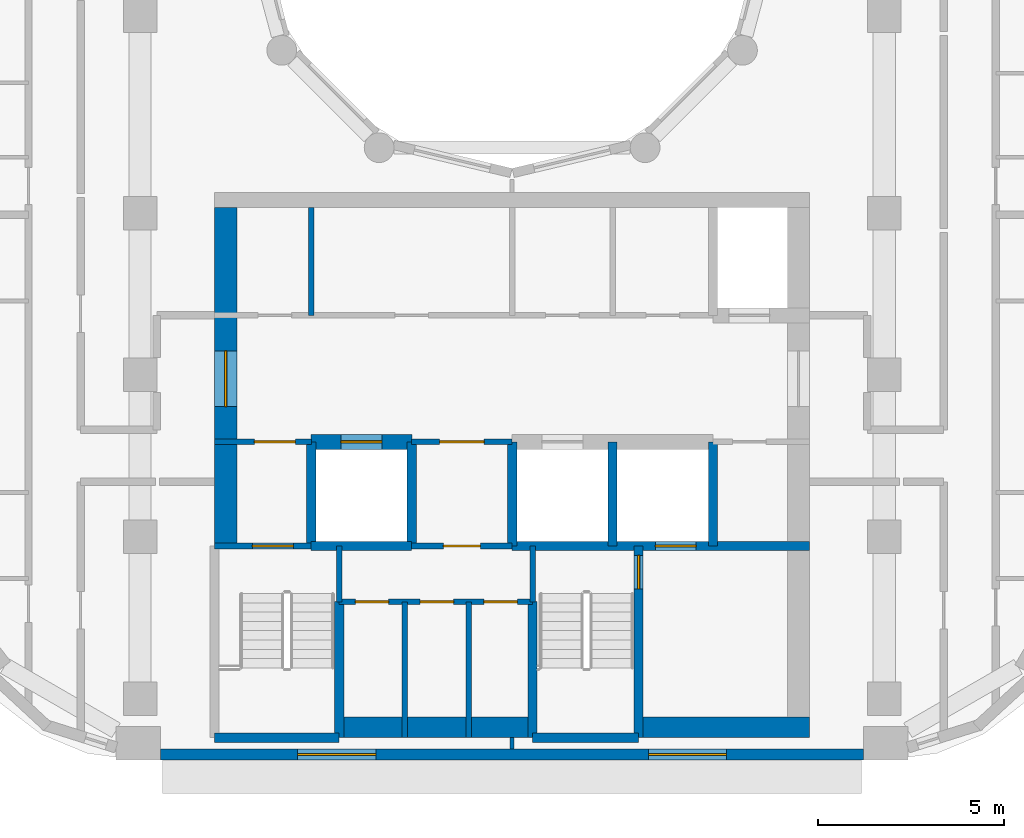
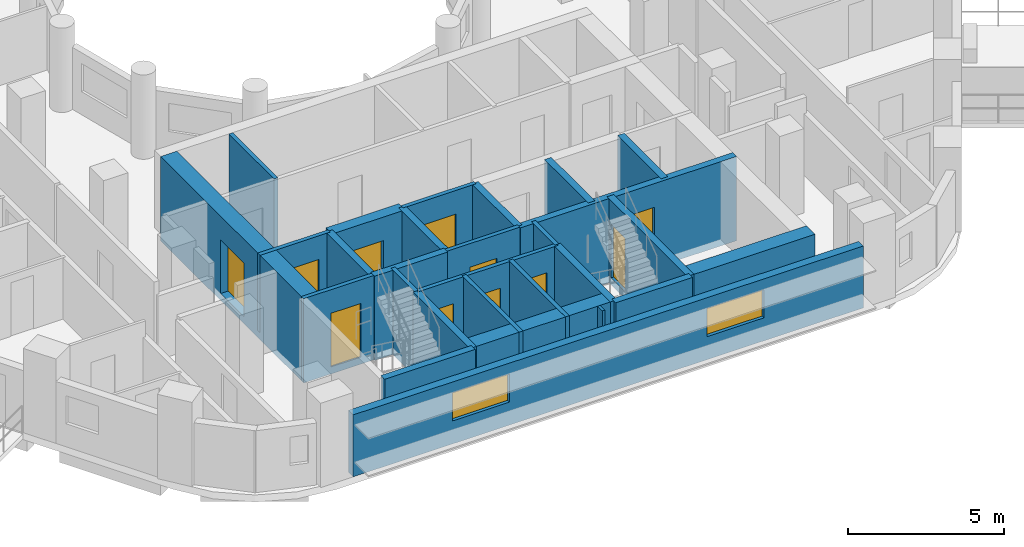
# One storey, part 3 of 18: 28 walls, 11 doors, 2 windows, 13 openings.
"""IFC4 building model written with IfcOpenShell, lengths in metres."""

from ifc_helpers import new_model, si_unit, direction, frame, frame_2d, origin, place, context, subcontext, project, spatial, rectangle, extrude, material, layer, layer_set, type_object, element, fill, save


model = new_model("IFC4")

# Units and contexts
model_context = context("Model", 3, precision=1e-05, world=origin(), true_north=direction((0.0, 1.0)))
body_context = subcontext(model_context, "Body", "Model", "MODEL_VIEW")
ifc_project = project(units=[si_unit("LENGTHUNIT", "METRE"), si_unit("AREAUNIT", "SQUARE_METRE"), si_unit("VOLUMEUNIT", "CUBIC_METRE"), si_unit("PLANEANGLEUNIT", "RADIAN"), si_unit("MASSUNIT", "GRAM", prefix="KILO")], contexts=[model_context])

# Site, building, storey
site_placement = place(None, origin())
site = spatial("IfcSite", under=ifc_project, at=site_placement, CompositionType="ELEMENT")
building_placement = place(site_placement, origin())
building = spatial("IfcBuilding", under=site, at=building_placement, Name="Nakaniwa Court", CompositionType="ELEMENT")
storey_placement = place(building_placement, frame((0.0, 0.0, 180.0)))
storey = spatial("IfcBuildingStorey", under=building, at=storey_placement, Name="L46", CompositionType="ELEMENT", Elevation=180.0)

# Wall, openings, windows
ifc_material_1 = material(Name="Charcoal ceramic cladding")
ifc_layer_1 = layer(ifc_material_1, 0.02, Name="Ceramic cladding")
ifc_material_2 = material(Name="Ventilated air cavity")
ifc_layer_2 = layer(ifc_material_2, 0.04, ventilated=True, Name="Ventilated cavity")
ifc_material_3 = material(Name="Mineral wool insulation")
ifc_layer_3 = layer(ifc_material_3, 0.1, Name="Insulation")
ifc_material_4 = material(Name="Cement bonded sheathing board")
ifc_layer_4 = layer(ifc_material_4, 0.012, Name="Sheathing")
ifc_material_5 = material(Name="Cold-formed galvanised stud frame with mineral wool infill")
ifc_layer_5 = layer(ifc_material_5, 0.1, Name="Stud frame")
ifc_material_6 = material(Name="Fire-rated gypsum plasterboard lining")
ifc_layer_6 = layer(ifc_material_6, 0.028, Name="Lining")
ifc_layer_set_1 = layer_set([ifc_layer_1, ifc_layer_2, ifc_layer_3, ifc_layer_4, ifc_layer_5, ifc_layer_6], Name="Charcoal ceramic faced external wall system")
wall_type_1 = type_object("IfcWallType", Name="Black ceramic faced external wall 300", PredefinedType="SOLIDWALL", material=ifc_layer_set_1)
wall_1_placement = place(storey_placement, frame((70.55078125, 57.5, 0.0), z_axis=(0.0, 0.0, 1.0), x_axis=(1.0, 0.0, 0.0)))
wall_1 = element("IfcWall", 1, at=wall_1_placement, inside=storey, type_object=wall_type_1, Name="L46 external wall 26", PredefinedType="SOLIDWALL", context=body_context, shape_type="SweptSolid", body=[
    extrude(rectangle(XDim=18.892822265625, YDim=0.300048828125, at=frame_2d((9.4462890625, 0.0))), origin(), (0.0, 0.0, 1.0), 2.425048828125),
])
opening_1_placement = place(wall_1_placement, frame((3.6865234375, 0.0, 0.89990234375)))
opening_1 = element("IfcOpeningElement", 2, at=opening_1_placement, cuts=wall_1, Name="Opening W7.26", PredefinedType="OPENING", context=body_context, shape_type="SweptSolid", body=[
    extrude(rectangle(XDim=2.10009765625, YDim=1.10009765625, at=frame_2d((1.050048828125, 0.550048828125))), frame((0.0, 0.159912109375, 0.0), z_axis=(0.0, -1.0, 0.0), x_axis=(1.0, 0.0, 0.0)), (0.0, 0.0, 1.0), 0.320068359375),
])
opening_2_placement = place(wall_1_placement, frame((13.10888671875, 0.0, 0.89990234375)))
opening_2 = element("IfcOpeningElement", 3, at=opening_2_placement, cuts=wall_1, Name="Opening W7.27", PredefinedType="OPENING", context=body_context, shape_type="SweptSolid", body=[
    extrude(rectangle(XDim=2.10009765625, YDim=1.10009765625, at=frame_2d((1.050048828125, 0.550048828125))), frame((0.0, 0.159912109375, 0.0), z_axis=(0.0, -1.0, 0.0), x_axis=(1.0, 0.0, 0.0)), (0.0, 0.0, 1.0), 0.320068359375),
])
ifc_material_7 = material(Name="Black anodised aluminium frame with dark low-E laminated double glazing", Category="aluminium")
window_type = type_object("IfcWindowType", Name="Dark glass window 2100x1100 sill 900", PartitioningType="SINGLE_PANEL", PredefinedType="WINDOW", material=ifc_material_7)
window_1_placement = place(opening_1_placement, origin())
window_1 = element("IfcWindow", 4, at=window_1_placement, inside=storey, type_object=window_type, Name="L46 habitable room window 26-0", OverallHeight=1.10009765625, OverallWidth=2.10009765625, PartitioningType="SINGLE_PANEL", PredefinedType="WINDOW", context=body_context, shape_type="SweptSolid", body=[
    extrude(rectangle(XDim=2.10009765625, YDim=1.10009765625, at=frame_2d((1.050048828125, 0.550048828125))), frame((0.0, 0.030029296875, 0.0), z_axis=(0.0, -1.0, 0.0), x_axis=(1.0, 0.0, 0.0)), (0.0, 0.0, 1.0), 0.06005859375),
])
fill(opening_1, window_1)
window_2_placement = place(opening_2_placement, origin())
window_2 = element("IfcWindow", 5, at=window_2_placement, inside=storey, type_object=window_type, Name="L46 habitable room window 26-1", OverallHeight=1.10009765625, OverallWidth=2.10009765625, PartitioningType="SINGLE_PANEL", PredefinedType="WINDOW", context=body_context, shape_type="SweptSolid", body=[
    extrude(rectangle(XDim=2.10009765625, YDim=1.10009765625, at=frame_2d((1.050048828125, 0.550048828125))), frame((0.0, 0.030029296875, 0.0), z_axis=(0.0, -1.0, 0.0), x_axis=(1.0, 0.0, 0.0)), (0.0, 0.0, 1.0), 0.06005859375),
])
fill(opening_2, window_2)

# Wall
ifc_material_8 = material(Name="Blockwork partition", Category="masonry")
ifc_layer_7 = layer(ifc_material_8, 0.14990234375)
ifc_layer_set_2 = layer_set([ifc_layer_7], Name="Blockwork partition")
wall_type_2 = type_object("IfcWallType", Name="Blockwork partition 150", PredefinedType="PARTITIONING", material=ifc_layer_set_2)
wall_2_placement = place(storey_placement, frame((74.60009765625, 69.300048828125, 0.0), z_axis=(0.0, 0.0, 1.0), x_axis=(0.0, 1.0, 0.0)))
element("IfcWall", 6, at=wall_2_placement, inside=storey, type_object=wall_type_2, Name="Partition PW-036", PredefinedType="PARTITIONING", context=body_context, shape_type="SweptSolid", body=[
    extrude(rectangle(XDim=2.89990234375, YDim=0.14990234375, at=frame_2d((1.449951171875, 0.0))), origin(), (0.0, 0.0, 1.0), 3.02490234375),
])

# Wall, opening, door
wall_3_placement = place(storey_placement, frame((74.60302734375, 65.89990234375, 0.0), z_axis=(0.0, 0.0, 1.0), x_axis=(-1.0, 0.0, 0.0)))
wall_3 = element("IfcWall", 7, at=wall_3_placement, inside=storey, type_object=wall_type_2, Name="Partition PW-045", PredefinedType="PARTITIONING", context=body_context, shape_type="SweptSolid", body=[
    extrude(rectangle(XDim=2.60302734375, YDim=0.14990234375, at=frame_2d((1.301513671875, 0.0))), origin(), (0.0, 0.0, 1.0), 3.02490234375),
])
opening_3_placement = place(wall_3_placement, frame((0.427978515625, 0.0, 0.0)))
opening_3 = element("IfcOpeningElement", 8, at=opening_3_placement, cuts=wall_3, Name="Opening D-08-02", PredefinedType="OPENING", context=body_context, shape_type="SweptSolid", body=[
    extrude(rectangle(XDim=1.10009765625, YDim=2.10009765625, at=frame_2d((0.550048828125, 1.050048828125))), frame((0.0, 0.0849609375, 0.0), z_axis=(0.0, -1.0, 0.0), x_axis=(1.0, 0.0, 0.0)), (0.0, 0.0, 1.0), 0.169921875),
])
ifc_material_9 = material(Name="Fire rated steel door set", Category="steel")
door_type_1 = type_object("IfcDoorType", Name="Stair lobby door 1100", OperationType="NOTDEFINED", PredefinedType="DOOR", material=ifc_material_9)
door_1_placement = place(opening_3_placement, origin())
door_1 = element("IfcDoor", 9, at=door_1_placement, inside=storey, type_object=door_type_1, Name="Door D-08-02 L46-018", OperationType="SINGLE_SWING_LEFT", OverallHeight=2.10009765625, OverallWidth=1.10009765625, PredefinedType="DOOR", context=body_context, shape_type="SweptSolid", body=[
    extrude(rectangle(XDim=1.10009765625, YDim=2.10009765625, at=frame_2d((0.550048828125, 1.050048828125))), frame((0.0, 0.02490234375, 0.0), z_axis=(0.0, -1.0, 0.0), x_axis=(1.0, 0.0, 0.0)), (0.0, 0.0, 1.0), 0.050048828125),
])
fill(opening_3, door_1)

wall_4_placement = place(storey_placement, frame((80.0029296875, 65.89990234375, 0.0), z_axis=(0.0, 0.0, 1.0), x_axis=(-1.0, 0.0, 0.0)))
wall_4 = element("IfcWall", 10, at=wall_4_placement, inside=storey, type_object=wall_type_2, Name="Partition PW-046", PredefinedType="PARTITIONING", context=body_context, shape_type="SweptSolid", body=[
    extrude(rectangle(XDim=2.705810546875, YDim=0.14990234375, at=frame_2d((1.35302734375, 0.0))), origin(), (0.0, 0.0, 1.0), 3.02490234375),
])
opening_4_placement = place(wall_4_placement, frame((0.7529296875, 0.0, 0.0)))
opening_4 = element("IfcOpeningElement", 11, at=opening_4_placement, cuts=wall_4, Name="Opening D-06-02", PredefinedType="OPENING", context=body_context, shape_type="SweptSolid", body=[
    extrude(rectangle(XDim=1.199951171875, YDim=2.10009765625, at=frame_2d((0.60009765625, 1.050048828125))), frame((0.0, 0.0849609375, 0.0), z_axis=(0.0, -1.0, 0.0), x_axis=(1.0, 0.0, 0.0)), (0.0, 0.0, 1.0), 0.169921875),
])
ifc_material_10 = material(Name="Fire rated steel double door set", Category="steel")
door_type_2 = type_object("IfcDoorType", Name="Service passage double door 1200", OperationType="NOTDEFINED", PredefinedType="DOOR", material=ifc_material_10)
door_2_placement = place(opening_4_placement, origin())
door_2 = element("IfcDoor", 12, at=door_2_placement, inside=storey, type_object=door_type_2, Name="Door D-06-02 L46-019", OperationType="DOUBLE_DOOR_SINGLE_SWING", OverallHeight=2.10009765625, OverallWidth=1.199951171875, PredefinedType="DOOR", context=body_context, shape_type="SweptSolid", body=[
    extrude(rectangle(XDim=1.199951171875, YDim=2.10009765625, at=frame_2d((0.60009765625, 1.050048828125))), frame((0.0, 0.02490234375, 0.0), z_axis=(0.0, -1.0, 0.0), x_axis=(1.0, 0.0, 0.0)), (0.0, 0.0, 1.0), 0.050048828125),
])
fill(opening_4, door_2)

wall_5_placement = place(storey_placement, frame((80.0, 63.10009765625, 0.0), z_axis=(0.0, 0.0, 1.0), x_axis=(-1.0, 0.0, 0.0)))
wall_5 = element("IfcWall", 13, at=wall_5_placement, inside=storey, type_object=wall_type_2, Name="Partition PW-056", PredefinedType="PARTITIONING", context=body_context, shape_type="SweptSolid", body=[
    extrude(rectangle(XDim=2.699951171875, YDim=0.14990234375, at=frame_2d((1.35009765625, 0.0))), origin(), (0.0, 0.0, 1.0), 3.02490234375),
])
opening_5_placement = place(wall_5_placement, frame((0.85009765625, 0.0, 0.0)))
opening_5 = element("IfcOpeningElement", 14, at=opening_5_placement, cuts=wall_5, Name="Opening D-23-02", PredefinedType="OPENING", context=body_context, shape_type="SweptSolid", body=[
    extrude(rectangle(XDim=1.0, YDim=2.10009765625, at=frame_2d((0.5, 1.050048828125))), frame((0.0, 0.0849609375, 0.0), z_axis=(0.0, -1.0, 0.0), x_axis=(1.0, 0.0, 0.0)), (0.0, 0.0, 1.0), 0.169921875),
])
door_type_3 = type_object("IfcDoorType", Name="Service room door 1000", OperationType="NOTDEFINED", PredefinedType="DOOR", material=ifc_material_9)
door_3_placement = place(opening_5_placement, origin())
door_3 = element("IfcDoor", 15, at=door_3_placement, inside=storey, type_object=door_type_3, Name="Door D-23-02 L46-021", OperationType="SINGLE_SWING_RIGHT", OverallHeight=2.10009765625, OverallWidth=1.0, PredefinedType="DOOR", context=body_context, shape_type="SweptSolid", body=[
    extrude(rectangle(XDim=1.0, YDim=2.10009765625, at=frame_2d((0.5, 1.050048828125))), frame((0.0, 0.02490234375, 0.0), z_axis=(0.0, -1.0, 0.0), x_axis=(1.0, 0.0, 0.0)), (0.0, 0.0, 1.0), 0.050048828125),
])
fill(opening_5, door_3)

# Wall, openings, doors
wall_6_placement = place(storey_placement, frame((80.550048828125, 61.60009765625, 0.0), z_axis=(0.0, 0.0, 1.0), x_axis=(-1.0, 0.0, 0.0)))
wall_6 = element("IfcWall", 16, at=wall_6_placement, inside=storey, type_object=wall_type_2, Name="Partition PW-068", PredefinedType="PARTITIONING", context=body_context, shape_type="SweptSolid", body=[
    extrude(rectangle(XDim=5.199951171875, YDim=0.14990234375, at=frame_2d((2.60009765625, 0.0))), origin(), (0.0, 0.0, 1.0), 3.02490234375),
])
opening_6_placement = place(wall_6_placement, frame((3.865966796875, 0.0, 0.0)))
opening_6 = element("IfcOpeningElement", 17, at=opening_6_placement, cuts=wall_6, Name="Opening D-05-14", PredefinedType="OPENING", context=body_context, shape_type="SweptSolid", body=[
    extrude(rectangle(XDim=0.89990234375, YDim=2.10009765625, at=frame_2d((0.449951171875, 1.050048828125))), frame((0.0, 0.0849609375, 0.0), z_axis=(0.0, -1.0, 0.0), x_axis=(1.0, 0.0, 0.0)), (0.0, 0.0, 1.0), 0.169921875),
])
opening_7_placement = place(wall_6_placement, frame((2.1240234375, 0.0, 0.0)))
opening_7 = element("IfcOpeningElement", 18, at=opening_7_placement, cuts=wall_6, Name="Opening D-05-15", PredefinedType="OPENING", context=body_context, shape_type="SweptSolid", body=[
    extrude(rectangle(XDim=0.89990234375, YDim=2.10009765625, at=frame_2d((0.449951171875, 1.050048828125))), frame((0.0, 0.0849609375, 0.0), z_axis=(0.0, -1.0, 0.0), x_axis=(1.0, 0.0, 0.0)), (0.0, 0.0, 1.0), 0.169921875),
])
opening_8_placement = place(wall_6_placement, frame((0.407958984375, 0.0, 0.0)))
opening_8 = element("IfcOpeningElement", 19, at=opening_8_placement, cuts=wall_6, Name="Opening D-05-16", PredefinedType="OPENING", context=body_context, shape_type="SweptSolid", body=[
    extrude(rectangle(XDim=0.89990234375, YDim=2.10009765625, at=frame_2d((0.449951171875, 1.050048828125))), frame((0.0, 0.0849609375, 0.0), z_axis=(0.0, -1.0, 0.0), x_axis=(1.0, 0.0, 0.0)), (0.0, 0.0, 1.0), 0.169921875),
])
door_type_4 = type_object("IfcDoorType", Name="Service room door 900", OperationType="NOTDEFINED", PredefinedType="DOOR", material=ifc_material_9)
door_4_placement = place(opening_6_placement, origin())
door_4 = element("IfcDoor", 20, at=door_4_placement, inside=storey, type_object=door_type_4, Name="Door D-05-14 L46-022", OperationType="SINGLE_SWING_LEFT", OverallHeight=2.10009765625, OverallWidth=0.89990234375, PredefinedType="DOOR", context=body_context, shape_type="SweptSolid", body=[
    extrude(rectangle(XDim=0.89990234375, YDim=2.10009765625, at=frame_2d((0.449951171875, 1.050048828125))), frame((0.0, 0.02490234375, 0.0), z_axis=(0.0, -1.0, 0.0), x_axis=(1.0, 0.0, 0.0)), (0.0, 0.0, 1.0), 0.050048828125),
])
fill(opening_6, door_4)
door_5_placement = place(opening_7_placement, origin())
door_5 = element("IfcDoor", 21, at=door_5_placement, inside=storey, type_object=door_type_4, Name="Door D-05-15 L46-023", OperationType="SINGLE_SWING_RIGHT", OverallHeight=2.10009765625, OverallWidth=0.89990234375, PredefinedType="DOOR", context=body_context, shape_type="SweptSolid", body=[
    extrude(rectangle(XDim=0.89990234375, YDim=2.10009765625, at=frame_2d((0.449951171875, 1.050048828125))), frame((0.0, 0.02490234375, 0.0), z_axis=(0.0, -1.0, 0.0), x_axis=(1.0, 0.0, 0.0)), (0.0, 0.0, 1.0), 0.050048828125),
])
fill(opening_7, door_5)
door_6_placement = place(opening_8_placement, origin())
door_6 = element("IfcDoor", 22, at=door_6_placement, inside=storey, type_object=door_type_4, Name="Door D-05-16 L46-024", OperationType="SINGLE_SWING_LEFT", OverallHeight=2.10009765625, OverallWidth=0.89990234375, PredefinedType="DOOR", context=body_context, shape_type="SweptSolid", body=[
    extrude(rectangle(XDim=0.89990234375, YDim=2.10009765625, at=frame_2d((0.449951171875, 1.050048828125))), frame((0.0, 0.02490234375, 0.0), z_axis=(0.0, -1.0, 0.0), x_axis=(1.0, 0.0, 0.0)), (0.0, 0.0, 1.0), 0.050048828125),
])
fill(opening_8, door_6)

# Walls
for number, where, z_axis, x_axis, name in (
    (23, (77.117919921875, 57.949951171875, 0.0), (0.0, 0.0, 1.0), (0.0, 1.0, 0.0), "Partition PW-069"),
    (24, (78.833984375, 57.949951171875, 0.0), (0.0, 0.0, 1.0), (0.0, 1.0, 0.0), "Partition PW-070"),
):
    element("IfcWall", number, at=place(storey_placement, frame(where, z_axis=z_axis, x_axis=x_axis)), inside=storey, type_object=wall_type_2, Name=name, PredefinedType="PARTITIONING", context=body_context, shape_type="SweptSolid", body=[
        extrude(rectangle(XDim=3.650146484375, YDim=0.14990234375, at=frame_2d((1.8251953125, 0.0))), origin(), (0.0, 0.0, 1.0), 3.02490234375),
    ])

# Wall, opening, door
ifc_material_11 = material(Name="Concrete C80/100", Category="concrete")
ifc_layer_8 = layer(ifc_material_11, 0.60009765625)
ifc_layer_set_3 = layer_set([ifc_layer_8], Name="Concrete C80/100")
wall_type_3 = type_object("IfcWallType", Name="Concrete core side wall 600 C80", PredefinedType="SHEAR", material=ifc_layer_set_3)
wall_7_placement = place(storey_placement, frame((72.300048828125, 63.10009765625, -0.27490234375), z_axis=(0.0, 0.0, 1.0), x_axis=(0.0, 1.0, 0.0)))
wall_7 = element("IfcWall", 25, at=wall_7_placement, inside=storey, type_object=wall_type_3, Name="Core wall SW-38", PredefinedType="SHEAR", context=body_context, shape_type="SweptSolid", body=[
    extrude(rectangle(XDim=9.099853515625, YDim=0.60009765625, at=frame_2d((4.5498046875, 0.0))), origin(), (0.0, 0.0, 1.0), 3.2998046875),
])
opening_9_placement = place(wall_7_placement, frame((3.748046875, 0.0, 0.27490234375)))
opening_9 = element("IfcOpeningElement", 26, at=opening_9_placement, cuts=wall_7, Name="Opening D-07-04", PredefinedType="OPENING", context=body_context, shape_type="SweptSolid", body=[
    extrude(rectangle(XDim=1.5, YDim=2.10009765625, at=frame_2d((0.75, 1.050048828125))), frame((0.0, 0.31005859375, 0.0), z_axis=(0.0, -1.0, 0.0), x_axis=(1.0, 0.0, 0.0)), (0.0, 0.0, 1.0), 0.6201171875),
])
ifc_material_12 = material(Name="Glazed fire rated steel double door set", Category="steel")
door_type_5 = type_object("IfcDoorType", Name="Lobby double door 1500", OperationType="NOTDEFINED", PredefinedType="DOOR", material=ifc_material_12)
door_7_placement = place(opening_9_placement, origin())
door_7 = element("IfcDoor", 27, at=door_7_placement, inside=storey, type_object=door_type_5, Name="Door D-07-04 L46-066", OperationType="DOUBLE_DOOR_SINGLE_SWING", OverallHeight=2.10009765625, OverallWidth=1.5, PredefinedType="DOOR", context=body_context, shape_type="SweptSolid", body=[
    extrude(rectangle(XDim=1.5, YDim=2.10009765625, at=frame_2d((0.75, 1.050048828125))), frame((0.0, 0.02490234375, 0.0), z_axis=(0.0, -1.0, 0.0), x_axis=(1.0, 0.0, 0.0)), (0.0, 0.0, 1.0), 0.050048828125),
])
fill(opening_9, door_7)

ifc_layer_9 = layer(ifc_material_11, 0.39990234375)
ifc_layer_set_4 = layer_set([ifc_layer_9], Name="Concrete C80/100")
wall_type_4 = type_object("IfcWallType", Name="Concrete core spine wall 400 C80", PredefinedType="SHEAR", material=ifc_layer_set_4)
wall_8_placement = place(storey_placement, frame((74.596923828125, 65.89990234375, -0.27490234375), z_axis=(0.0, 0.0, 1.0), x_axis=(1.0, 0.0, 0.0)))
wall_8 = element("IfcWall", 28, at=wall_8_placement, inside=storey, type_object=wall_type_4, Name="Core wall SW-48", PredefinedType="SHEAR", context=body_context, shape_type="SweptSolid", body=[
    extrude(rectangle(XDim=2.7060546875, YDim=0.39990234375, at=frame_2d((1.35302734375, 0.0))), origin(), (0.0, 0.0, 1.0), 3.2998046875),
])
opening_10_placement = place(wall_8_placement, frame((0.802978515625, 0.0, 0.27490234375)))
opening_10 = element("IfcOpeningElement", 29, at=opening_10_placement, cuts=wall_8, Name="Opening LD06", PredefinedType="OPENING", context=body_context, shape_type="SweptSolid", body=[
    extrude(rectangle(XDim=1.10009765625, YDim=2.10009765625, at=frame_2d((0.550048828125, 1.050048828125))), frame((0.0, 0.2099609375, 0.0), z_axis=(0.0, -1.0, 0.0), x_axis=(1.0, 0.0, 0.0)), (0.0, 0.0, 1.0), 0.419921875),
])
ifc_material_13 = material(Name="Stainless steel sliding lift landing door", Category="steel")
door_type_6 = type_object("IfcDoorType", Name="Lift landing door 1100", OperationType="NOTDEFINED", PredefinedType="DOOR", material=ifc_material_13)
door_8_placement = place(opening_10_placement, origin())
door_8 = element("IfcDoor", 30, at=door_8_placement, inside=storey, type_object=door_type_6, Name="Lift landing door LD06 L46-006", OperationType="SLIDING_TO_LEFT", OverallHeight=2.10009765625, OverallWidth=1.10009765625, PredefinedType="DOOR", context=body_context, shape_type="SweptSolid", body=[
    extrude(rectangle(XDim=1.10009765625, YDim=2.10009765625, at=frame_2d((0.550048828125, 1.050048828125))), frame((0.0, 0.02490234375, 0.0), z_axis=(0.0, -1.0, 0.0), x_axis=(1.0, 0.0, 0.0)), (0.0, 0.0, 1.0), 0.050048828125),
])
fill(opening_10, door_8)

ifc_layer_10 = layer(ifc_material_11, 0.14990234375)
ifc_layer_set_5 = layer_set([ifc_layer_10], Name="Concrete C80/100")
wall_type_5 = type_object("IfcWallType", Name="Concrete core wall 150 C80", PredefinedType="SHEAR", material=ifc_layer_set_5)
wall_9_placement = place(storey_placement, frame((72.0, 63.10009765625, -0.27490234375), z_axis=(0.0, 0.0, 1.0), x_axis=(1.0, 0.0, 0.0)))
wall_9 = element("IfcWall", 31, at=wall_9_placement, inside=storey, type_object=wall_type_5, Name="Core wall SW-51", PredefinedType="SHEAR", context=body_context, shape_type="SweptSolid", body=[
    extrude(rectangle(XDim=2.60009765625, YDim=0.14990234375, at=frame_2d((1.300048828125, 0.0))), origin(), (0.0, 0.0, 1.0), 3.2998046875),
])
opening_11_placement = place(wall_9_placement, frame((1.02001953125, 0.0, 0.27490234375)))
opening_11 = element("IfcOpeningElement", 32, at=opening_11_placement, cuts=wall_9, Name="Opening D-09-02", PredefinedType="OPENING", context=body_context, shape_type="SweptSolid", body=[
    extrude(rectangle(XDim=1.10009765625, YDim=2.10009765625, at=frame_2d((0.550048828125, 1.050048828125))), frame((0.0, 0.0849609375, 0.0), z_axis=(0.0, -1.0, 0.0), x_axis=(1.0, 0.0, 0.0)), (0.0, 0.0, 1.0), 0.169921875),
])
door_type_7 = type_object("IfcDoorType", Name="Stair door 1100", OperationType="NOTDEFINED", PredefinedType="DOOR", material=ifc_material_9)
door_9_placement = place(opening_11_placement, origin())
door_9 = element("IfcDoor", 33, at=door_9_placement, inside=storey, type_object=door_type_7, Name="Door D-09-02 L46-025", OperationType="SINGLE_SWING_LEFT", OverallHeight=2.10009765625, OverallWidth=1.10009765625, PredefinedType="DOOR", context=body_context, shape_type="SweptSolid", body=[
    extrude(rectangle(XDim=1.10009765625, YDim=2.10009765625, at=frame_2d((0.550048828125, 1.050048828125))), frame((0.0, 0.02490234375, 0.0), z_axis=(0.0, -1.0, 0.0), x_axis=(1.0, 0.0, 0.0)), (0.0, 0.0, 1.0), 0.050048828125),
])
fill(opening_11, door_9)

# Walls
for number, where, z_axis, x_axis, name in (
    (34, (75.35009765625, 61.596923828125, -0.27490234375), (0.0, 0.0, 1.0), (0.0, 1.0, 0.0), "Core wall SW-58"),
    (35, (80.550048828125, 61.596923828125, -0.27490234375), (0.0, 0.0, 1.0), (0.0, 1.0, 0.0), "Core wall SW-64"),
):
    element("IfcWall", number, at=place(storey_placement, frame(where, z_axis=z_axis, x_axis=x_axis)), inside=storey, type_object=wall_type_5, Name=name, PredefinedType="SHEAR", context=body_context, shape_type="SweptSolid", body=[
        extrude(rectangle(XDim=1.503173828125, YDim=0.14990234375, at=frame_2d((0.75146484375, 0.0))), origin(), (0.0, 0.0, 1.0), 3.2998046875),
    ])
ifc_layer_11 = layer(ifc_material_11, 0.25)
ifc_layer_set_6 = layer_set([ifc_layer_11], Name="Concrete C80/100")
wall_type_6 = type_object("IfcWallType", Name="Concrete core wall 250 C80", PredefinedType="SHEAR", material=ifc_layer_set_6)
wall_10_placement = place(storey_placement, frame((72.0, 57.949951171875, -0.27490234375), z_axis=(0.0, 0.0, 1.0), x_axis=(1.0, 0.0, 0.0)))
element("IfcWall", 36, at=wall_10_placement, inside=storey, type_object=wall_type_6, Name="Core wall SW-61", PredefinedType="SHEAR", context=body_context, shape_type="SweptSolid", body=[
    extrude(rectangle(XDim=3.35009765625, YDim=0.25, at=frame_2d((1.675048828125, 0.0))), origin(), (0.0, 0.0, 1.0), 3.2998046875),
])
wall_11_placement = place(storey_placement, frame((80.550048828125, 57.949951171875, -0.27490234375), z_axis=(0.0, 0.0, 1.0), x_axis=(1.0, 0.0, 0.0)))
element("IfcWall", 37, at=wall_11_placement, inside=storey, type_object=wall_type_6, Name="Core wall SW-62", PredefinedType="SHEAR", context=body_context, shape_type="SweptSolid", body=[
    extrude(rectangle(XDim=2.849853515625, YDim=0.25, at=frame_2d((1.4248046875, 0.0))), origin(), (0.0, 0.0, 1.0), 3.2998046875),
])
ifc_layer_12 = layer(ifc_material_11, 0.550048828125)
ifc_layer_set_7 = layer_set([ifc_layer_12], Name="Concrete C80/100")
wall_type_7 = type_object("IfcWallType", Name="Concrete core wall 550 C80", PredefinedType="SHEAR", material=ifc_layer_set_7)
wall_12_placement = place(storey_placement, frame((75.35009765625, 58.22509765625, -0.27490234375), z_axis=(0.0, 0.0, 1.0), x_axis=(1.0, 0.0, 0.0)))
element("IfcWall", 38, at=wall_12_placement, inside=storey, type_object=wall_type_7, Name="Core wall SW-66", PredefinedType="SHEAR", context=body_context, shape_type="SweptSolid", body=[
    extrude(rectangle(XDim=5.199951171875, YDim=0.550048828125, at=frame_2d((2.60009765625, 0.0))), origin(), (0.0, 0.0, 1.0), 3.2998046875),
])
wall_13_placement = place(storey_placement, frame((83.39990234375, 58.22509765625, -0.27490234375), z_axis=(0.0, 0.0, 1.0), x_axis=(1.0, 0.0, 0.0)))
element("IfcWall", 39, at=wall_13_placement, inside=storey, type_object=wall_type_7, Name="Core wall SW-67", PredefinedType="SHEAR", context=body_context, shape_type="SweptSolid", body=[
    extrude(rectangle(XDim=4.60009765625, YDim=0.550048828125, at=frame_2d((2.300048828125, 0.0))), origin(), (0.0, 0.0, 1.0), 3.2998046875),
])
ifc_layer_13 = layer(ifc_material_11, 0.25)
ifc_layer_set_8 = layer_set([ifc_layer_13], Name="Concrete C80/100")
wall_type_8 = type_object("IfcWallType", Name="Concrete shaft wall 250 C80", PredefinedType="SHEAR", material=ifc_layer_set_8)
for number, where, z_axis, x_axis, name in (
    (40, (85.39990234375, 63.10009765625, -0.27490234375), (0.0, 0.0, 1.0), (0.0, 1.0, 0.0), "Core wall SW-39"),
    (41, (74.60009765625, 63.10009765625, -0.27490234375), (0.0, 0.0, 1.0), (0.0, 1.0, 0.0), "Core wall SW-50"),
    (42, (77.300048828125, 63.10009765625, -0.27490234375), (0.0, 0.0, 1.0), (0.0, 1.0, 0.0), "Core wall SW-52"),
):
    element("IfcWall", number, at=place(storey_placement, frame(where, z_axis=z_axis, x_axis=x_axis)), inside=storey, type_object=wall_type_8, Name=name, PredefinedType="SHEAR", context=body_context, shape_type="SweptSolid", body=[
        extrude(rectangle(XDim=2.7998046875, YDim=0.25, at=frame_2d((1.39990234375, 0.0))), origin(), (0.0, 0.0, 1.0), 3.2998046875),
    ])
wall_14_placement = place(storey_placement, frame((74.60009765625, 63.10009765625, -0.27490234375), z_axis=(0.0, 0.0, 1.0), x_axis=(1.0, 0.0, 0.0)))
element("IfcWall", 43, at=wall_14_placement, inside=storey, type_object=wall_type_8, Name="Core wall SW-53", PredefinedType="SHEAR", context=body_context, shape_type="SweptSolid", body=[
    extrude(rectangle(XDim=2.699951171875, YDim=0.25, at=frame_2d((1.35009765625, 0.0))), origin(), (0.0, 0.0, 1.0), 3.2998046875),
])

# Wall, opening, door
wall_15_placement = place(storey_placement, frame((80.0, 63.10009765625, -0.27490234375), z_axis=(0.0, 0.0, 1.0), x_axis=(1.0, 0.0, 0.0)))
wall_15 = element("IfcWall", 44, at=wall_15_placement, inside=storey, type_object=wall_type_8, Name="Core wall SW-54", PredefinedType="SHEAR", context=body_context, shape_type="SweptSolid", body=[
    extrude(rectangle(XDim=8.0, YDim=0.25, at=frame_2d((4.0, 0.0))), origin(), (0.0, 0.0, 1.0), 3.2998046875),
])
opening_12_placement = place(wall_15_placement, frame((3.84912109375, 0.0, 0.27490234375)))
opening_12 = element("IfcOpeningElement", 45, at=opening_12_placement, cuts=wall_15, Name="Opening LD08", PredefinedType="OPENING", context=body_context, shape_type="SweptSolid", body=[
    extrude(rectangle(XDim=1.10009765625, YDim=2.10009765625, at=frame_2d((0.550048828125, 1.050048828125))), frame((0.0, 0.135009765625, 0.0), z_axis=(0.0, -1.0, 0.0), x_axis=(1.0, 0.0, 0.0)), (0.0, 0.0, 1.0), 0.27001953125),
])
door_10_placement = place(opening_12_placement, origin())
door_10 = element("IfcDoor", 46, at=door_10_placement, inside=storey, type_object=door_type_6, Name="Lift landing door LD08 L46-008", OperationType="SLIDING_TO_LEFT", OverallHeight=2.10009765625, OverallWidth=1.10009765625, PredefinedType="DOOR", context=body_context, shape_type="SweptSolid", body=[
    extrude(rectangle(XDim=1.10009765625, YDim=2.10009765625, at=frame_2d((0.550048828125, 1.050048828125))), frame((0.0, 0.02490234375, 0.0), z_axis=(0.0, -1.0, 0.0), x_axis=(1.0, 0.0, 0.0)), (0.0, 0.0, 1.0), 0.050048828125),
])
fill(opening_12, door_10)

# Walls
for number, where, z_axis, x_axis, name in (
    (47, (80.0, 63.10009765625, -0.27490234375), (0.0, 0.0, 1.0), (0.0, 1.0, 0.0), "Core wall SW-55"),
    (48, (82.699951171875, 63.10009765625, -0.27490234375), (0.0, 0.0, 1.0), (0.0, 1.0, 0.0), "Core wall SW-57"),
):
    element("IfcWall", number, at=place(storey_placement, frame(where, z_axis=z_axis, x_axis=x_axis)), inside=storey, type_object=wall_type_8, Name=name, PredefinedType="SHEAR", context=body_context, shape_type="SweptSolid", body=[
        extrude(rectangle(XDim=2.7998046875, YDim=0.25, at=frame_2d((1.39990234375, 0.0))), origin(), (0.0, 0.0, 1.0), 3.2998046875),
    ])
wall_16_placement = place(storey_placement, frame((75.35009765625, 57.949951171875, -0.27490234375), z_axis=(0.0, 0.0, 1.0), x_axis=(0.0, 1.0, 0.0)))
element("IfcWall", 49, at=wall_16_placement, inside=storey, type_object=wall_type_8, Name="Core wall SW-59", PredefinedType="SHEAR", context=body_context, shape_type="SweptSolid", body=[
    extrude(rectangle(XDim=3.653076171875, YDim=0.25, at=frame_2d((1.82666015625, 0.0))), origin(), (0.0, 0.0, 1.0), 3.2998046875),
])

# Wall, opening, door
wall_17_placement = place(storey_placement, frame((83.39990234375, 63.10009765625, -0.27490234375), z_axis=(0.0, 0.0, 1.0), x_axis=(0.0, -1.0, 0.0)))
wall_17 = element("IfcWall", 50, at=wall_17_placement, inside=storey, type_object=wall_type_8, Name="Core wall SW-63", PredefinedType="SHEAR", context=body_context, shape_type="SweptSolid", body=[
    extrude(rectangle(XDim=5.150146484375, YDim=0.25, at=frame_2d((2.5751953125, 0.0))), origin(), (0.0, 0.0, 1.0), 3.2998046875),
])
opening_13_placement = place(wall_17_placement, frame((0.25, 0.0, 0.27490234375)))
opening_13 = element("IfcOpeningElement", 51, at=opening_13_placement, cuts=wall_17, Name="Opening D-11-02", PredefinedType="OPENING", context=body_context, shape_type="SweptSolid", body=[
    extrude(rectangle(XDim=0.89990234375, YDim=2.10009765625, at=frame_2d((0.449951171875, 1.050048828125))), frame((0.0, 0.135009765625, 0.0), z_axis=(0.0, -1.0, 0.0), x_axis=(1.0, 0.0, 0.0)), (0.0, 0.0, 1.0), 0.27001953125),
])
door_type_8 = type_object("IfcDoorType", Name="Stair door 900", OperationType="NOTDEFINED", PredefinedType="DOOR", material=ifc_material_9)
door_11_placement = place(opening_13_placement, origin())
door_11 = element("IfcDoor", 52, at=door_11_placement, inside=storey, type_object=door_type_8, Name="Door D-11-02 L46-026", OperationType="SINGLE_SWING_RIGHT", OverallHeight=2.10009765625, OverallWidth=0.89990234375, PredefinedType="DOOR", context=body_context, shape_type="SweptSolid", body=[
    extrude(rectangle(XDim=0.89990234375, YDim=2.10009765625, at=frame_2d((0.449951171875, 1.050048828125))), frame((0.0, 0.02490234375, 0.0), z_axis=(0.0, -1.0, 0.0), x_axis=(1.0, 0.0, 0.0)), (0.0, 0.0, 1.0), 0.050048828125),
])
fill(opening_13, door_11)

# Walls
wall_18_placement = place(storey_placement, frame((80.550048828125, 57.949951171875, -0.27490234375), z_axis=(0.0, 0.0, 1.0), x_axis=(0.0, 1.0, 0.0)))
element("IfcWall", 53, at=wall_18_placement, inside=storey, type_object=wall_type_8, Name="Core wall SW-65", PredefinedType="SHEAR", context=body_context, shape_type="SweptSolid", body=[
    extrude(rectangle(XDim=3.653076171875, YDim=0.25, at=frame_2d((1.82666015625, 0.0))), origin(), (0.0, 0.0, 1.0), 3.2998046875),
])
ifc_material_14 = material(Name="Single stud plasterboard partition")
ifc_layer_14 = layer(ifc_material_14, 0.10009765625)
ifc_layer_set_9 = layer_set([ifc_layer_14], Name="Single stud plasterboard partition")
wall_type_9 = type_object("IfcWallType", Name="Single stud plasterboard partition 100", PredefinedType="PARTITIONING", material=ifc_layer_set_9)
wall_19_placement = place(storey_placement, frame((80.0, 57.64990234375, 0.0), z_axis=(0.0, 0.0, 1.0), x_axis=(0.0, 1.0, 0.0)))
element("IfcWall", 54, at=wall_19_placement, inside=storey, type_object=wall_type_9, Name="Partition PW-109", PredefinedType="PARTITIONING", context=body_context, shape_type="SweptSolid", body=[
    extrude(rectangle(XDim=0.300048828125, YDim=0.10009765625, at=frame_2d((0.14990234375, 0.0))), origin(), (0.0, 0.0, 1.0), 3.02490234375),
])

save(model, "model.ifc")
